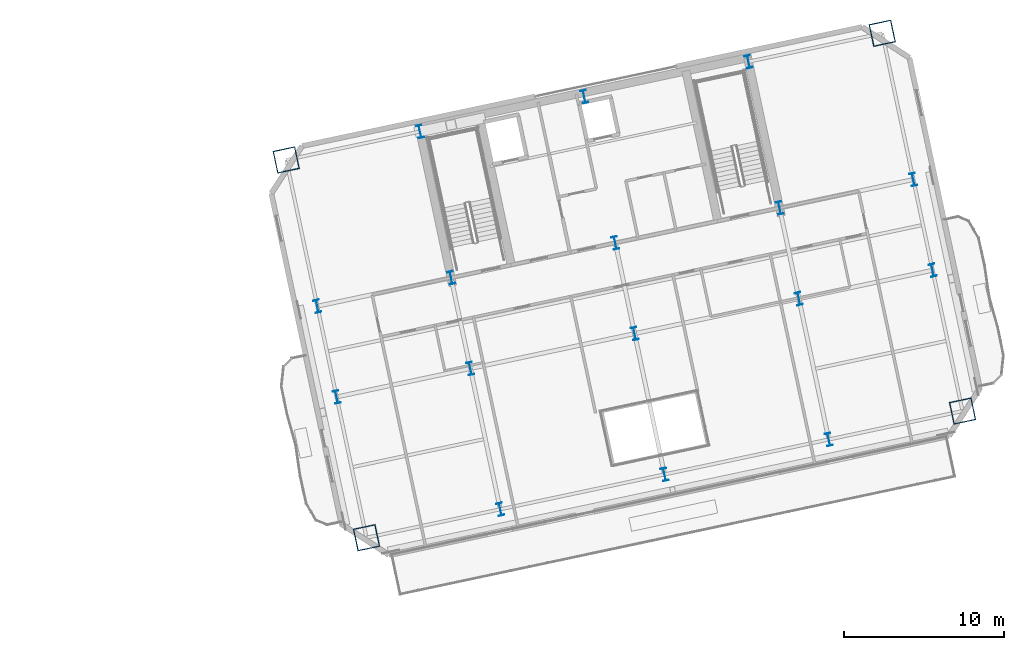
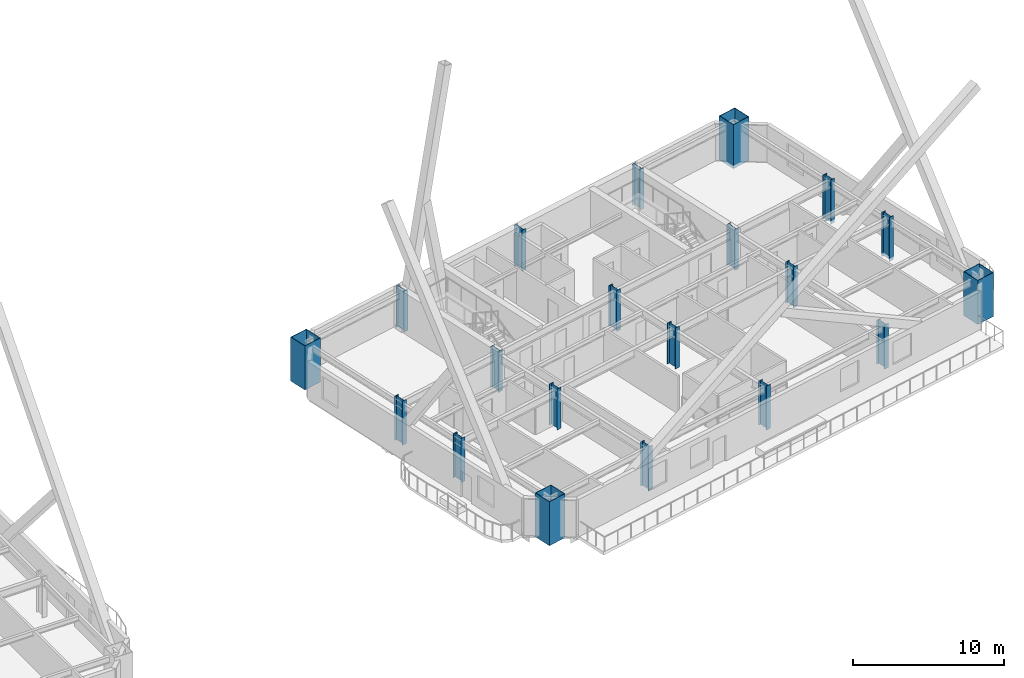
# One storey, part 2 of 22: 20 columns.
"""IFC4 building model written with IfcOpenShell, lengths in metres."""

from ifc_helpers import new_model, si_unit, direction, frame, origin, origin_2d, place, context, subcontext, project, spatial, hollow_rectangle, i_section, extrude, material, material_profile, profile_set, type_object, element, save


model = new_model("IFC4")

# Units and contexts
model_context = context("Model", 3, precision=1e-05, world=origin(), true_north=direction((0.0, 1.0)))
body_context = subcontext(model_context, "Body", "Model", "MODEL_VIEW")
ifc_project = project(units=[si_unit("LENGTHUNIT", "METRE"), si_unit("AREAUNIT", "SQUARE_METRE"), si_unit("VOLUMEUNIT", "CUBIC_METRE"), si_unit("PLANEANGLEUNIT", "RADIAN"), si_unit("MASSUNIT", "GRAM", prefix="KILO")], contexts=[model_context])

# Site, building, storey
site_placement = place(None, origin())
site = spatial("IfcSite", under=ifc_project, at=site_placement, CompositionType="ELEMENT")
building_placement = place(site_placement, origin())
building = spatial("IfcBuilding", under=site, at=building_placement, Name="Haevon Station Towers", CompositionType="ELEMENT")
storey_placement = place(building_placement, frame((0.0, 0.0, 93.300048828125)))
storey = spatial("IfcBuildingStorey", under=building, at=storey_placement, Name="L24", CompositionType="ELEMENT", Elevation=93.300048828125)

# Columns
ifc_material = material(Name="Steel S460", Category="steel")
ifc_material_profile_1 = material_profile(ifc_material, hollow_rectangle(XDim=1.39990234375, YDim=1.39990234375, WallThickness=0.035888671875, at=origin_2d()), Name="BOX-1400x1400x36")
ifc_profile_set_1 = profile_set([ifc_material_profile_1], Name="Steel S460")
column_type_1 = type_object("IfcColumnType", Name="COL-MC3", PredefinedType="COLUMN", material=ifc_profile_set_1)
for number, where, z_axis, x_axis, name in (
    (1, (93.46630859375, 21.188232421875, -0.25), (0.0, 0.0, 1.0), (0.978147600734, 0.207911690818, 0.0), "COL-T2-L24-01-01"),
    (2, (88.4453125, 44.810546875, -0.25), (0.0, 0.0, 1.0), (0.978147600734, 0.207911690818, 0.0), "COL-T2-L24-01-04"),
    (3, (130.733642578125, 29.109619140625, -0.25), (0.0, 0.0, 1.0), (0.978147600734, 0.207911690818, 0.0), "COL-T2-L24-05-01"),
    (4, (125.712646484375, 52.73193359375, -0.25), (0.0, 0.0, 1.0), (0.978147600734, 0.207911690818, 0.0), "COL-T2-L24-05-04"),
):
    element("IfcColumn", number, at=place(storey_placement, frame(where, z_axis=z_axis, x_axis=x_axis)), inside=storey, type_object=column_type_1, Name=name, PredefinedType="COLUMN", context=body_context, shape_type="SweptSolid", body=[
        extrude(hollow_rectangle(XDim=1.39990234375, YDim=1.39990234375, WallThickness=0.035888671875, at=origin_2d()), origin(), (0.0, 0.0, 1.0), 3.550048828125),
    ])
ifc_material_profile_2 = material_profile(ifc_material, i_section(OverallWidth=0.35009765625, OverallDepth=0.800048828125, WebThickness=0.01806640625, FlangeThickness=0.031982421875, at=origin_2d()), Name="H-800x350x18x32")
ifc_profile_set_2 = profile_set([ifc_material_profile_2], Name="Steel S460")
column_type_2 = type_object("IfcColumnType", Name="COL-TW2", PredefinedType="COLUMN", material=ifc_profile_set_2)
for number, where, z_axis, x_axis, name in (
    (5, (91.594970703125, 29.991455078125, -0.25), (0.0, 0.0, 1.0), (0.978147600734, 0.207911690818, 0.0), "COL-T2-L24-01-02"),
    (6, (90.38916015625, 35.664794921875, -0.25), (0.0, 0.0, 1.0), (0.978147600734, 0.207911690818, 0.0), "COL-T2-L24-01-03"),
    (7, (101.829345703125, 22.9658203125, -0.25), (0.0, 0.0, 1.0), (0.978147600734, 0.207911690818, 0.0), "COL-T2-L24-02-01"),
):
    element("IfcColumn", number, at=place(storey_placement, frame(where, z_axis=z_axis, x_axis=x_axis)), inside=storey, type_object=column_type_2, Name=name, PredefinedType="COLUMN", context=body_context, shape_type="SweptSolid", body=[
        extrude(i_section(OverallWidth=0.35009765625, OverallDepth=0.800048828125, WebThickness=0.01806640625, FlangeThickness=0.031982421875, at=origin_2d()), origin(), (0.0, 0.0, 1.0), 3.550048828125),
    ])
for number, where, z_axis, x_axis, name in (
    (8, (99.958251953125, 31.76904296875, 0.0), (0.0, 0.0, 1.0), (0.978147600734, 0.207911690818, 0.0), "COL-T2-L24-02-02"),
    (9, (98.75244140625, 37.4423828125, 0.0), (0.0, 0.0, 1.0), (0.978147600734, 0.207911690818, 0.0), "COL-T2-L24-02-03"),
    (10, (96.808349609375, 46.588134765625, 0.0), (0.0, 0.0, 1.0), (0.978147600734, 0.207911690818, 0.0), "COL-T2-L24-02-04"),
):
    element("IfcColumn", number, at=place(storey_placement, frame(where, z_axis=z_axis, x_axis=x_axis)), inside=storey, type_object=column_type_2, Name=name, PredefinedType="COLUMN", context=body_context, shape_type="SweptSolid", body=[
        extrude(i_section(OverallWidth=0.35009765625, OverallDepth=0.800048828125, WebThickness=0.01806640625, FlangeThickness=0.031982421875, at=origin_2d()), origin(), (0.0, 0.0, 1.0), 3.300048828125),
    ])
column_1_placement = place(storey_placement, frame((112.10009765625, 25.14892578125, -0.25), z_axis=(0.0, 0.0, 1.0), x_axis=(0.978147600734, 0.207911690818, 0.0)))
element("IfcColumn", 11, at=column_1_placement, inside=storey, type_object=column_type_2, Name="COL-T2-L24-03-01", PredefinedType="COLUMN", context=body_context, shape_type="SweptSolid", body=[
    extrude(i_section(OverallWidth=0.35009765625, OverallDepth=0.800048828125, WebThickness=0.01806640625, FlangeThickness=0.031982421875, at=origin_2d()), origin(), (0.0, 0.0, 1.0), 3.550048828125),
])
for number, where, z_axis, x_axis, name in (
    (12, (110.228759765625, 33.9521484375, 0.0), (0.0, 0.0, 1.0), (0.978147600734, 0.207911690818, 0.0), "COL-T2-L24-03-02"),
    (13, (109.02294921875, 39.62548828125, 0.0), (0.0, 0.0, 1.0), (0.978147600734, 0.207911690818, 0.0), "COL-T2-L24-03-03"),
    (14, (107.078857421875, 48.771240234375, 0.0), (0.0, 0.0, 1.0), (0.978147600734, 0.207911690818, 0.0), "COL-T2-L24-03-04"),
):
    element("IfcColumn", number, at=place(storey_placement, frame(where, z_axis=z_axis, x_axis=x_axis)), inside=storey, type_object=column_type_2, Name=name, PredefinedType="COLUMN", context=body_context, shape_type="SweptSolid", body=[
        extrude(i_section(OverallWidth=0.35009765625, OverallDepth=0.800048828125, WebThickness=0.01806640625, FlangeThickness=0.031982421875, at=origin_2d()), origin(), (0.0, 0.0, 1.0), 3.300048828125),
    ])
column_2_placement = place(storey_placement, frame((122.37060546875, 27.33203125, -0.25), z_axis=(0.0, 0.0, 1.0), x_axis=(0.978147600734, 0.207911690818, 0.0)))
element("IfcColumn", 15, at=column_2_placement, inside=storey, type_object=column_type_2, Name="COL-T2-L24-04-01", PredefinedType="COLUMN", context=body_context, shape_type="SweptSolid", body=[
    extrude(i_section(OverallWidth=0.35009765625, OverallDepth=0.800048828125, WebThickness=0.01806640625, FlangeThickness=0.031982421875, at=origin_2d()), origin(), (0.0, 0.0, 1.0), 3.550048828125),
])
for number, where, z_axis, x_axis, name in (
    (16, (120.499267578125, 36.13525390625, 0.0), (0.0, 0.0, 1.0), (0.978147600734, 0.207911690818, 0.0), "COL-T2-L24-04-02"),
    (17, (119.29345703125, 41.80859375, 0.0), (0.0, 0.0, 1.0), (0.978147600734, 0.207911690818, 0.0), "COL-T2-L24-04-03"),
    (18, (117.349365234375, 50.954345703125, 0.0), (0.0, 0.0, 1.0), (0.978147600734, 0.207911690818, 0.0), "COL-T2-L24-04-04"),
):
    element("IfcColumn", number, at=place(storey_placement, frame(where, z_axis=z_axis, x_axis=x_axis)), inside=storey, type_object=column_type_2, Name=name, PredefinedType="COLUMN", context=body_context, shape_type="SweptSolid", body=[
        extrude(i_section(OverallWidth=0.35009765625, OverallDepth=0.800048828125, WebThickness=0.01806640625, FlangeThickness=0.031982421875, at=origin_2d()), origin(), (0.0, 0.0, 1.0), 3.300048828125),
    ])
for number, where, z_axis, x_axis, name in (
    (19, (128.862548828125, 37.912841796875, -0.25), (0.0, 0.0, 1.0), (0.978147600734, 0.207911690818, 0.0), "COL-T2-L24-05-02"),
    (20, (127.656494140625, 43.586181640625, -0.25), (0.0, 0.0, 1.0), (0.978147600734, 0.207911690818, 0.0), "COL-T2-L24-05-03"),
):
    element("IfcColumn", number, at=place(storey_placement, frame(where, z_axis=z_axis, x_axis=x_axis)), inside=storey, type_object=column_type_2, Name=name, PredefinedType="COLUMN", context=body_context, shape_type="SweptSolid", body=[
        extrude(i_section(OverallWidth=0.35009765625, OverallDepth=0.800048828125, WebThickness=0.01806640625, FlangeThickness=0.031982421875, at=origin_2d()), origin(), (0.0, 0.0, 1.0), 3.550048828125),
    ])

save(model, "model.ifc")
